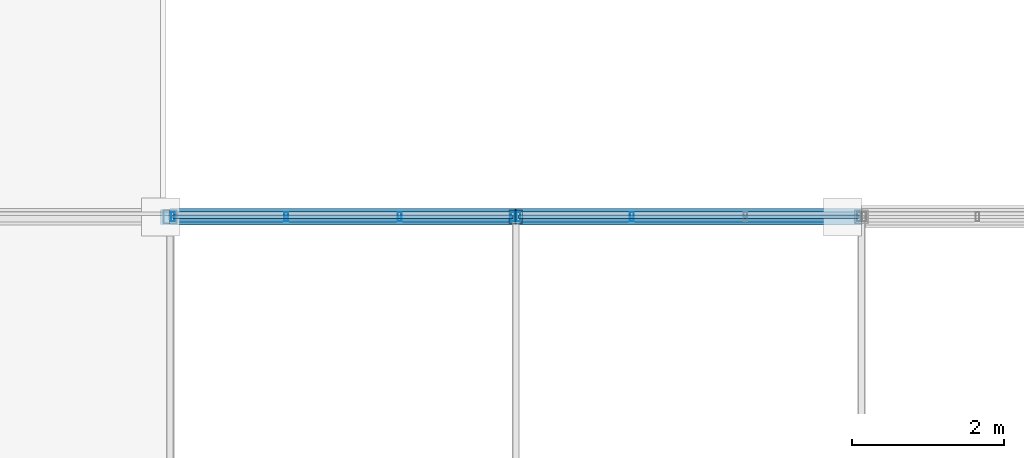
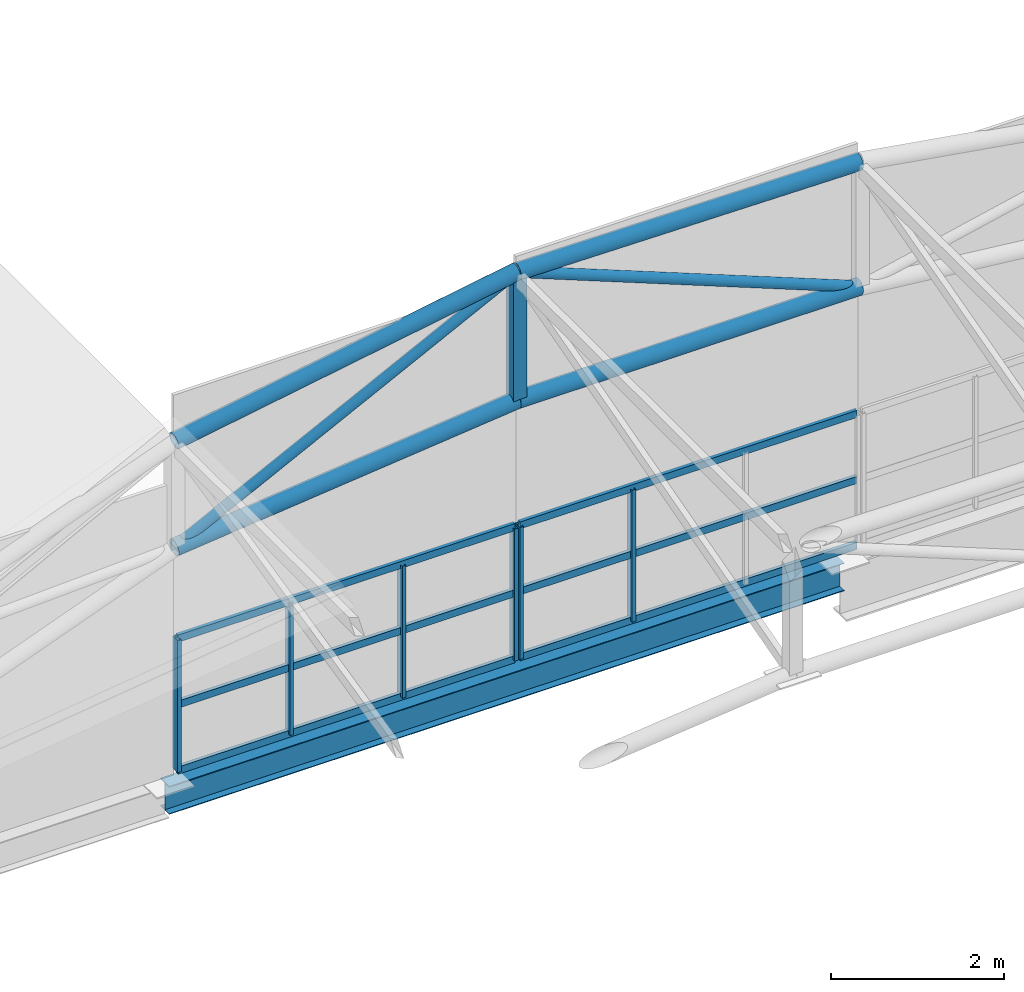
# One storey, part 55 of 101: 19 members, 1 beam, 2 elements without a shape of their own.
"""IFC4 building model written with IfcOpenShell, lengths in metres."""

from ifc_helpers import new_model, si_unit, direction, frame, origin, origin_2d, place, context, subcontext, project, spatial, hollow_rectangle, hollow_circle, i_section, extrude, material, material_profile, profile_set, type_object, element, aggregate, save


model = new_model("IFC4")

# Units and contexts
model_context = context("Model", 3, precision=1e-05, world=origin(), true_north=direction((0.0, 1.0)))
body_context = subcontext(model_context, "Body", "Model", "MODEL_VIEW")
ifc_project = project(units=[si_unit("LENGTHUNIT", "METRE"), si_unit("AREAUNIT", "SQUARE_METRE"), si_unit("VOLUMEUNIT", "CUBIC_METRE"), si_unit("PLANEANGLEUNIT", "RADIAN"), si_unit("MASSUNIT", "GRAM", prefix="KILO")], contexts=[model_context])

# Site, building, storey
site_placement = place(None, origin())
site = spatial("IfcSite", under=ifc_project, at=site_placement, CompositionType="ELEMENT")
building_placement = place(site_placement, origin())
building = spatial("IfcBuilding", under=site, at=building_placement, Name="Solvikara Media Centre", CompositionType="ELEMENT")
storey_placement = place(building_placement, frame((0.0, 0.0, 10.199951171875)))
storey = spatial("IfcBuildingStorey", under=building, at=storey_placement, Name="L02", CompositionType="ELEMENT", Elevation=10.199951171875)

# Beam
ifc_material_1 = material(Name="Steel S355JR", Category="steel")
ifc_material_profile_1 = material_profile(ifc_material_1, i_section(OverallWidth=0.198974609375, OverallDepth=0.39599609375, WebThickness=0.007080078125, FlangeThickness=0.010986328125, at=origin_2d()), Name="H 396x199x7x11")
ifc_profile_set_1 = profile_set([ifc_material_profile_1], Name="Steel S355JR")
beam_type = type_object("IfcBeamType", Name="BM-44", PredefinedType="BEAM", material=ifc_profile_set_1)
beam_placement = place(storey_placement, frame((136.5, 72.0, -0.2978515625), z_axis=(1.0, 0.0, 0.0), x_axis=(0.0, 1.0, 0.0)))
element("IfcBeam", 1, at=beam_placement, inside=storey, type_object=beam_type, Name="B-L02-X0882", PredefinedType="BEAM", context=body_context, shape_type="SweptSolid", body=[
    extrude(i_section(OverallWidth=0.198974609375, OverallDepth=0.39599609375, WebThickness=0.007080078125, FlangeThickness=0.010986328125, at=origin_2d()), origin(), (0.0, 0.0, 1.0), 9.0),
])

# Members
ifc_material_profile_2 = material_profile(ifc_material_1, hollow_circle(Radius=0.109619140625, WallThickness=0.008056640625, at=origin_2d()), Name="CHS 219.1x8")
ifc_profile_set_2 = profile_set([ifc_material_profile_2], Name="Steel S355JR")
member_type_1 = type_object("IfcMemberType", Name="MB-05", PredefinedType="CHORD", material=ifc_profile_set_2)
member_1_placement = place(storey_placement, frame((136.625, 72.0, 4.66796875), z_axis=(0.98541075968, 0.0, 0.170192933775), x_axis=(0.0, 1.0, 0.0)))
element("IfcMember", 2, at=member_1_placement, inside=storey, type_object=member_type_1, Name="BSA-TC-04-02", PredefinedType="CHORD", context=body_context, shape_type="SweptSolid", body=[
    extrude(hollow_circle(Radius=0.109619140625, WallThickness=0.008056640625, at=origin_2d()), origin(), (0.0, 0.0, 1.0), 4.630615234375),
])
member_2_placement = place(storey_placement, frame((136.625, 72.0, 3.16796875), z_axis=(0.994463096743, 0.0, 0.105086389303), x_axis=(0.0, 1.0, 0.0)))
element("IfcMember", 3, at=member_2_placement, inside=storey, type_object=member_type_1, Name="BSA-BC-04-02", PredefinedType="CHORD", context=body_context, shape_type="SweptSolid", body=[
    extrude(hollow_circle(Radius=0.109619140625, WallThickness=0.008056640625, at=origin_2d()), origin(), (0.0, 0.0, 1.0), 4.58837890625),
])
member_3_placement = place(storey_placement, frame((141.18798828125, 72.0, 5.4560546875), z_axis=(0.999949391899, 0.0, -0.010060499073), x_axis=(0.0, 1.0, 0.0)))
element("IfcMember", 4, at=member_3_placement, inside=storey, type_object=member_type_1, Name="BSA-TC-04-03", PredefinedType="CHORD", context=body_context, shape_type="SweptSolid", body=[
    extrude(hollow_circle(Radius=0.109619140625, WallThickness=0.008056640625, at=origin_2d()), origin(), (0.0, 0.0, 1.0), 4.562255859375),
])
member_4_placement = place(storey_placement, frame((141.18798828125, 72.0, 3.650146484375), z_axis=(1.0, 0.0, 0.0), x_axis=(0.0, 1.0, 0.0)))
element("IfcMember", 5, at=member_4_placement, inside=storey, type_object=member_type_1, Name="BSA-BC-04-03", PredefinedType="CHORD", context=body_context, shape_type="SweptSolid", body=[
    extrude(hollow_circle(Radius=0.109619140625, WallThickness=0.008056640625, at=origin_2d()), origin(), (0.0, 0.0, 1.0), 4.56201171875),
])
ifc_material_profile_3 = material_profile(ifc_material_1, hollow_circle(Radius=0.06982421875, WallThickness=0.00634765625, at=origin_2d()), Name="CHS 139.7x6.3")
ifc_profile_set_3 = profile_set([ifc_material_profile_3], Name="Steel S355JR")
member_type_2 = type_object("IfcMemberType", Name="MB-08", PredefinedType="BRACE", material=ifc_profile_set_3)
member_5_placement = place(storey_placement, frame((136.625, 72.0, 3.16796875), z_axis=(0.893910049242, 0.0, 0.448246387453), x_axis=(0.0, 1.0, 0.0)))
element("IfcMember", 6, at=member_5_placement, inside=storey, type_object=member_type_2, Name="BSA-DG-04-02", PredefinedType="BRACE", context=body_context, shape_type="SweptSolid", body=[
    extrude(hollow_circle(Radius=0.06982421875, WallThickness=0.00634765625, at=origin_2d()), origin(), (0.0, 0.0, 1.0), 5.1044921875),
])
member_6_placement = place(storey_placement, frame((141.18798828125, 72.0, 5.4560546875), z_axis=(0.929798808243, 0.0, -0.368068167857), x_axis=(0.0, 1.0, 0.0)))
element("IfcMember", 7, at=member_6_placement, inside=storey, type_object=member_type_2, Name="BSA-DG-04-03", PredefinedType="BRACE", context=body_context, shape_type="SweptSolid", body=[
    extrude(hollow_circle(Radius=0.06982421875, WallThickness=0.00634765625, at=origin_2d()), origin(), (0.0, 0.0, 1.0), 4.906494140625),
])
ifc_material_profile_4 = material_profile(ifc_material_1, hollow_rectangle(XDim=0.179931640625, YDim=0.179931640625, WallThickness=0.008056640625, at=origin_2d()), Name="RHS 180x180x8")
ifc_profile_set_4 = profile_set([ifc_material_profile_4], Name="Steel S355JR")
member_type_3 = type_object("IfcMemberType", Name="MB-14", PredefinedType="BRACE", material=ifc_profile_set_4)
member_7_placement = place(storey_placement, frame((141.18798828125, 72.0, 3.650146484375), z_axis=(0.0, 0.0, 1.0), x_axis=(1.0, 0.0, 0.0)))
element("IfcMember", 8, at=member_7_placement, inside=storey, type_object=member_type_3, Name="BSA-VT-04-03", PredefinedType="BRACE", context=body_context, shape_type="SweptSolid", body=[
    extrude(hollow_rectangle(XDim=0.179931640625, YDim=0.179931640625, WallThickness=0.008056640625, at=origin_2d()), origin(), (0.0, 0.0, 1.0), 1.805908203125),
])

# Curtain wall, members
ifc_material_2 = material(Name="Anodised aluminium EN AW-6063", Category="aluminium")
curtain_wall_type = type_object("IfcCurtainWallType", Name="CW-12", PredefinedType="NOTDEFINED", material=ifc_material_2)
curtain_wall_1_placement = place(storey_placement, origin())
curtain_wall_1 = element("IfcCurtainWall", 9, at=curtain_wall_1_placement, inside=storey, type_object=curtain_wall_type, Name="CW-BSAN-CLR-02", PredefinedType="NOTDEFINED")
ifc_material_profile_5 = material_profile(ifc_material_2, hollow_rectangle(XDim=0.050048828125, YDim=0.1201171875, WallThickness=0.0029296875, at=origin_2d()), Name="ALU-M 50x120x3")
ifc_profile_set_5 = profile_set([ifc_material_profile_5], Name="Anodised aluminium EN AW-6063")
member_type_4 = type_object("IfcMemberType", Name="MF-06", PredefinedType="MULLION", material=ifc_profile_set_5)
member_8_placement = place(storey_placement, frame((136.659912109375, 72.0, 0.02001953125), z_axis=(0.0, 0.0, 1.0), x_axis=(1.0, 0.0, 0.0)))
member_8 = element("IfcMember", 10, at=member_8_placement, type_object=member_type_4, Name="CW-BSAN-CLR-02-M00", PredefinedType="MULLION", context=body_context, shape_type="SweptSolid", body=[
    extrude(hollow_rectangle(XDim=0.050048828125, YDim=0.1201171875, WallThickness=0.0029296875, at=origin_2d()), origin(), (0.0, 0.0, 1.0), 1.860107421875),
])
member_9_placement = place(storey_placement, frame((138.157958984375, 72.0, 0.02001953125), z_axis=(0.0, 0.0, 1.0), x_axis=(1.0, 0.0, 0.0)))
member_9 = element("IfcMember", 11, at=member_9_placement, type_object=member_type_4, Name="CW-BSAN-CLR-02-M01", PredefinedType="MULLION", context=body_context, shape_type="SweptSolid", body=[
    extrude(hollow_rectangle(XDim=0.050048828125, YDim=0.1201171875, WallThickness=0.0029296875, at=origin_2d()), origin(), (0.0, 0.0, 1.0), 1.860107421875),
])
member_10_placement = place(storey_placement, frame((139.655029296875, 72.0, 0.02001953125), z_axis=(0.0, 0.0, 1.0), x_axis=(1.0, 0.0, 0.0)))
member_10 = element("IfcMember", 12, at=member_10_placement, type_object=member_type_4, Name="CW-BSAN-CLR-02-M02", PredefinedType="MULLION", context=body_context, shape_type="SweptSolid", body=[
    extrude(hollow_rectangle(XDim=0.050048828125, YDim=0.1201171875, WallThickness=0.0029296875, at=origin_2d()), origin(), (0.0, 0.0, 1.0), 1.860107421875),
])
member_11_placement = place(storey_placement, frame((141.153076171875, 72.0, 0.02001953125), z_axis=(0.0, 0.0, 1.0), x_axis=(1.0, 0.0, 0.0)))
member_11 = element("IfcMember", 13, at=member_11_placement, type_object=member_type_4, Name="CW-BSAN-CLR-02-M03", PredefinedType="MULLION", context=body_context, shape_type="SweptSolid", body=[
    extrude(hollow_rectangle(XDim=0.050048828125, YDim=0.1201171875, WallThickness=0.0029296875, at=origin_2d()), origin(), (0.0, 0.0, 1.0), 1.860107421875),
])

curtain_wall_2_placement = place(storey_placement, origin())
curtain_wall_2 = element("IfcCurtainWall", 14, at=curtain_wall_2_placement, inside=storey, type_object=curtain_wall_type, Name="CW-BSAN-CLR-03", PredefinedType="NOTDEFINED")
member_12_placement = place(storey_placement, frame((141.222900390625, 72.0, 0.02001953125), z_axis=(0.0, 0.0, 1.0), x_axis=(1.0, 0.0, 0.0)))
member_12 = element("IfcMember", 15, at=member_12_placement, type_object=member_type_4, Name="CW-BSAN-CLR-03-M00", PredefinedType="MULLION", context=body_context, shape_type="SweptSolid", body=[
    extrude(hollow_rectangle(XDim=0.050048828125, YDim=0.1201171875, WallThickness=0.0029296875, at=origin_2d()), origin(), (0.0, 0.0, 1.0), 1.860107421875),
])
member_13_placement = place(storey_placement, frame((142.719970703125, 72.0, 0.02001953125), z_axis=(0.0, 0.0, 1.0), x_axis=(1.0, 0.0, 0.0)))
member_13 = element("IfcMember", 16, at=member_13_placement, type_object=member_type_4, Name="CW-BSAN-CLR-03-M01", PredefinedType="MULLION", context=body_context, shape_type="SweptSolid", body=[
    extrude(hollow_rectangle(XDim=0.050048828125, YDim=0.1201171875, WallThickness=0.0029296875, at=origin_2d()), origin(), (0.0, 0.0, 1.0), 1.860107421875),
])

# Member
ifc_material_profile_6 = material_profile(ifc_material_2, hollow_rectangle(XDim=0.050048828125, YDim=0.10009765625, WallThickness=0.0029296875, at=origin_2d()), Name="ALU-T 50x100x3")
ifc_profile_set_6 = profile_set([ifc_material_profile_6], Name="Anodised aluminium EN AW-6063")
member_type_5 = type_object("IfcMemberType", Name="MF-12", PredefinedType="USERDEFINED", material=ifc_profile_set_6)
member_14_placement = place(storey_placement, frame((136.659912109375, 72.0, 0.02001953125), z_axis=(1.0, 0.0, 0.0), x_axis=(0.0, 1.0, 0.0)))
member_14 = element("IfcMember", 17, at=member_14_placement, type_object=member_type_5, Name="CW-BSAN-CLR-02-T00", ObjectType="TRANSOM", PredefinedType="USERDEFINED", context=body_context, shape_type="SweptSolid", body=[
    extrude(hollow_rectangle(XDim=0.050048828125, YDim=0.10009765625, WallThickness=0.0029296875, at=origin_2d()), origin(), (0.0, 0.0, 1.0), 4.4931640625),
])

member_15_placement = place(storey_placement, frame((136.659912109375, 72.0, 0.949951171875), z_axis=(1.0, 0.0, 0.0), x_axis=(0.0, 1.0, 0.0)))
member_15 = element("IfcMember", 18, at=member_15_placement, type_object=member_type_5, Name="CW-BSAN-CLR-02-T01", ObjectType="TRANSOM", PredefinedType="USERDEFINED", context=body_context, shape_type="SweptSolid", body=[
    extrude(hollow_rectangle(XDim=0.050048828125, YDim=0.10009765625, WallThickness=0.0029296875, at=origin_2d()), origin(), (0.0, 0.0, 1.0), 4.4931640625),
])

member_16_placement = place(storey_placement, frame((136.659912109375, 72.0, 1.880126953125), z_axis=(1.0, 0.0, 0.0), x_axis=(0.0, 1.0, 0.0)))
member_16 = element("IfcMember", 19, at=member_16_placement, type_object=member_type_5, Name="CW-BSAN-CLR-02-T02", ObjectType="TRANSOM", PredefinedType="USERDEFINED", context=body_context, shape_type="SweptSolid", body=[
    extrude(hollow_rectangle(XDim=0.050048828125, YDim=0.10009765625, WallThickness=0.0029296875, at=origin_2d()), origin(), (0.0, 0.0, 1.0), 4.4931640625),
])

aggregate(curtain_wall_1, [member_8, member_9, member_10, member_11, member_14, member_15, member_16])

member_17_placement = place(storey_placement, frame((141.222900390625, 72.0, 0.02001953125), z_axis=(1.0, 0.0, 0.0), x_axis=(0.0, 1.0, 0.0)))
member_17 = element("IfcMember", 20, at=member_17_placement, type_object=member_type_5, Name="CW-BSAN-CLR-03-T00", ObjectType="TRANSOM", PredefinedType="USERDEFINED", context=body_context, shape_type="SweptSolid", body=[
    extrude(hollow_rectangle(XDim=0.050048828125, YDim=0.10009765625, WallThickness=0.0029296875, at=origin_2d()), origin(), (0.0, 0.0, 1.0), 4.4921875),
])

member_18_placement = place(storey_placement, frame((141.222900390625, 72.0, 0.949951171875), z_axis=(1.0, 0.0, 0.0), x_axis=(0.0, 1.0, 0.0)))
member_18 = element("IfcMember", 21, at=member_18_placement, type_object=member_type_5, Name="CW-BSAN-CLR-03-T01", ObjectType="TRANSOM", PredefinedType="USERDEFINED", context=body_context, shape_type="SweptSolid", body=[
    extrude(hollow_rectangle(XDim=0.050048828125, YDim=0.10009765625, WallThickness=0.0029296875, at=origin_2d()), origin(), (0.0, 0.0, 1.0), 4.4921875),
])

member_19_placement = place(storey_placement, frame((141.222900390625, 72.0, 1.880126953125), z_axis=(1.0, 0.0, 0.0), x_axis=(0.0, 1.0, 0.0)))
member_19 = element("IfcMember", 22, at=member_19_placement, type_object=member_type_5, Name="CW-BSAN-CLR-03-T02", ObjectType="TRANSOM", PredefinedType="USERDEFINED", context=body_context, shape_type="SweptSolid", body=[
    extrude(hollow_rectangle(XDim=0.050048828125, YDim=0.10009765625, WallThickness=0.0029296875, at=origin_2d()), origin(), (0.0, 0.0, 1.0), 4.4921875),
])

aggregate(curtain_wall_2, [member_12, member_13, member_17, member_18, member_19])

save(model, "model.ifc")
